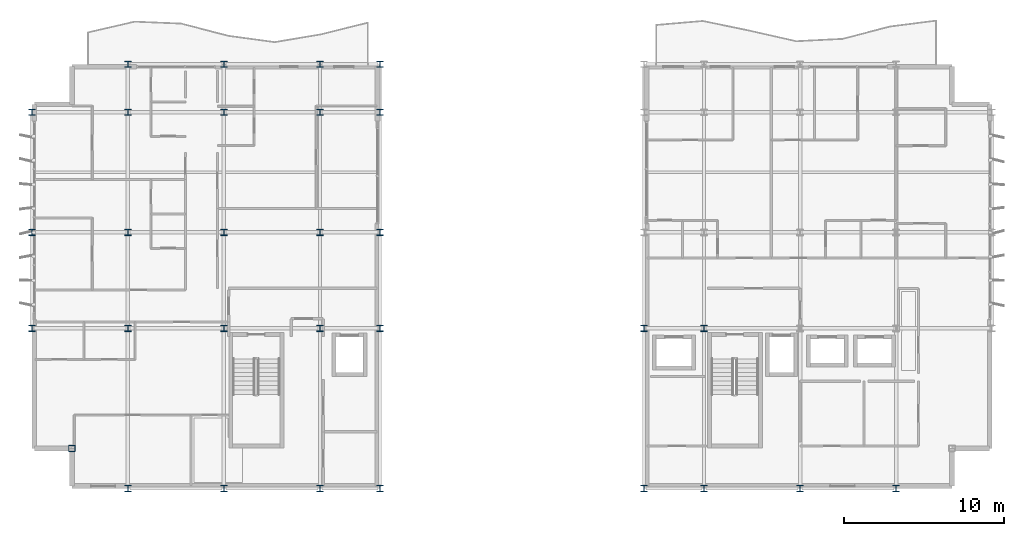
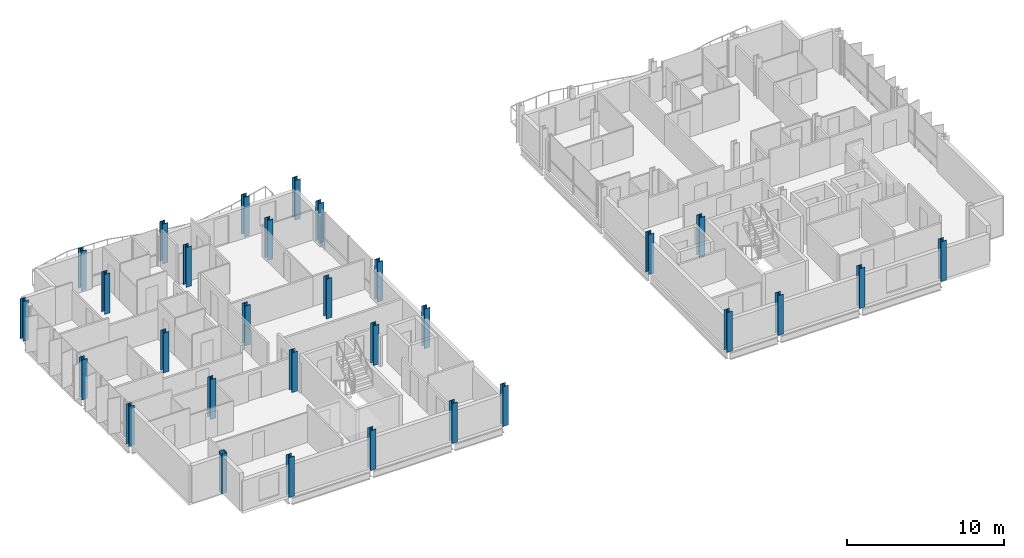
# One storey, part 1 of 29: 30 columns.
"""IFC4 building model written with IfcOpenShell, lengths in metres."""

from ifc_helpers import new_model, si_unit, direction, frame, origin, origin_2d, place, context, subcontext, project, spatial, hollow_rectangle, i_section, extrude, material, material_profile, profile_set, type_object, element, save


model = new_model("IFC4")

# Units and contexts
model_context = context("Model", 3, precision=1e-05, world=origin(), true_north=direction((0.0, 1.0)))
body_context = subcontext(model_context, "Body", "Model", "MODEL_VIEW")
ifc_project = project(units=[si_unit("LENGTHUNIT", "METRE"), si_unit("AREAUNIT", "SQUARE_METRE"), si_unit("VOLUMEUNIT", "CUBIC_METRE"), si_unit("PLANEANGLEUNIT", "RADIAN"), si_unit("MASSUNIT", "GRAM", prefix="KILO")], contexts=[model_context])

# Site, building, storey
site_placement = place(None, origin())
site = spatial("IfcSite", under=ifc_project, at=site_placement, CompositionType="ELEMENT")
building_placement = place(site_placement, origin())
building = spatial("IfcBuilding", under=site, at=building_placement, Name="Brevholm Reach", CompositionType="ELEMENT")
storey_placement = place(building_placement, frame((0.0, 0.0, 198.699951171875)))
storey = spatial("IfcBuildingStorey", under=building, at=storey_placement, Name="L60", CompositionType="ELEMENT", Elevation=198.699951171875)

# Columns
ifc_material_1 = material(Name="Structural Steel S460NH", Category="steel")
ifc_material_profile_1 = material_profile(ifc_material_1, hollow_rectangle(XDim=0.39990234375, YDim=0.39990234375, WallThickness=0.02001953125, InnerFilletRadius=0.011962890625, OuterFilletRadius=0.02392578125, at=origin_2d()), Name="SHS 400x400x20")
ifc_profile_set_1 = profile_set([ifc_material_profile_1], Name="Structural Steel S460NH")
column_type_1 = type_object("IfcColumnType", Name="COL-SHS2", PredefinedType="COLUMN", material=ifc_profile_set_1)
column_placement = place(storey_placement, frame((2.5, 2.5, 0.0), z_axis=(0.0, 0.0, 1.0), x_axis=(1.0, 0.0, 0.0)))
element("IfcColumn", 1, at=column_placement, inside=storey, type_object=column_type_1, Name="L60 Column 04", PredefinedType="COLUMN", context=body_context, shape_type="SweptSolid", body=[
    extrude(hollow_rectangle(XDim=0.39990234375, YDim=0.39990234375, WallThickness=0.02001953125, InnerFilletRadius=0.011962890625, OuterFilletRadius=0.02392578125, at=origin_2d()), origin(), (0.0, 0.0, 1.0), 3.10009765625),
])
ifc_material_2 = material(Name="Structural Steel S355J2", Category="steel")
ifc_material_profile_2 = material_profile(ifc_material_2, i_section(OverallWidth=0.39892578125, OverallDepth=0.3935546875, WebThickness=0.022705078125, FlangeThickness=0.03662109375, FilletRadius=0.01513671875, at=origin_2d()), Name="UKC 356x406x287")
ifc_profile_set_2 = profile_set([ifc_material_profile_2], Name="Structural Steel S355J2")
column_type_2 = type_object("IfcColumnType", Name="COL-UC5B", PredefinedType="COLUMN", material=ifc_profile_set_2)
for number, where, z_axis, x_axis, name in (
    (2, (0.0, 10.0, 0.0), (0.0, 0.0, 1.0), (1.0, 0.0, 0.0), "L60 Column 01"),
    (3, (0.0, 16.0, 0.0), (0.0, 0.0, 1.0), (1.0, 0.0, 0.0), "L60 Column 02"),
    (4, (0.0, 23.5, 0.0), (0.0, 0.0, 1.0), (1.0, 0.0, 0.0), "L60 Column 03"),
    (5, (6.0, 0.0, 0.0), (0.0, 0.0, 1.0), (1.0, 0.0, 0.0), "L60 Column 05"),
    (6, (6.0, 10.0, 0.0), (0.0, 0.0, 1.0), (1.0, 0.0, 0.0), "L60 Column 06"),
    (7, (6.0, 16.0, 0.0), (0.0, 0.0, 1.0), (1.0, 0.0, 0.0), "L60 Column 07"),
    (8, (6.0, 23.5, 0.0), (0.0, 0.0, 1.0), (1.0, 0.0, 0.0), "L60 Column 08"),
    (9, (6.0, 26.5, 0.0), (0.0, 0.0, 1.0), (1.0, 0.0, 0.0), "L60 Column 09"),
    (10, (12.0, 0.0, 0.0), (0.0, 0.0, 1.0), (1.0, 0.0, 0.0), "L60 Column 10"),
    (11, (12.0, 10.0, 0.0), (0.0, 0.0, 1.0), (1.0, 0.0, 0.0), "L60 Column 11"),
    (12, (12.0, 16.0, 0.0), (0.0, 0.0, 1.0), (1.0, 0.0, 0.0), "L60 Column 12"),
    (13, (12.0, 23.5, 0.0), (0.0, 0.0, 1.0), (1.0, 0.0, 0.0), "L60 Column 13"),
    (14, (12.0, 26.5, 0.0), (0.0, 0.0, 1.0), (1.0, 0.0, 0.0), "L60 Column 14"),
    (15, (18.0, 0.0, 0.0), (0.0, 0.0, 1.0), (1.0, 0.0, 0.0), "L60 Column 15"),
    (16, (18.0, 10.0, 0.0), (0.0, 0.0, 1.0), (1.0, 0.0, 0.0), "L60 Column 16"),
    (17, (18.0, 16.0, 0.0), (0.0, 0.0, 1.0), (1.0, 0.0, 0.0), "L60 Column 17"),
    (18, (18.0, 23.5, 0.0), (0.0, 0.0, 1.0), (1.0, 0.0, 0.0), "L60 Column 18"),
    (19, (18.0, 26.5, 0.0), (0.0, 0.0, 1.0), (1.0, 0.0, 0.0), "L60 Column 19"),
    (20, (21.75, 0.0, 0.0), (0.0, 0.0, 1.0), (1.0, 0.0, 0.0), "L60 Column 20"),
    (21, (21.75, 10.0, 0.0), (0.0, 0.0, 1.0), (1.0, 0.0, 0.0), "L60 Column 21"),
    (22, (21.75, 16.0, 0.0), (0.0, 0.0, 1.0), (1.0, 0.0, 0.0), "L60 Column 22"),
    (23, (21.75, 23.5, 0.0), (0.0, 0.0, 1.0), (1.0, 0.0, 0.0), "L60 Column 23"),
    (24, (21.75, 26.5, 0.0), (0.0, 0.0, 1.0), (1.0, 0.0, 0.0), "L60 Column 24"),
    (25, (38.25, 0.0, 0.0), (0.0, 0.0, 1.0), (1.0, 0.0, 0.0), "L60 Column 25"),
    (26, (38.25, 10.0, 0.0), (0.0, 0.0, 1.0), (1.0, 0.0, 0.0), "L60 Column 26"),
    (27, (42.0, 0.0, 0.0), (0.0, 0.0, 1.0), (1.0, 0.0, 0.0), "L60 Column 30"),
    (28, (42.0, 10.0, 0.0), (0.0, 0.0, 1.0), (1.0, 0.0, 0.0), "L60 Column 31"),
    (29, (48.0, 0.0, 0.0), (0.0, 0.0, 1.0), (1.0, 0.0, 0.0), "L60 Column 35"),
    (30, (54.0, 0.0, 0.0), (0.0, 0.0, 1.0), (1.0, 0.0, 0.0), "L60 Column 40"),
):
    element("IfcColumn", number, at=place(storey_placement, frame(where, z_axis=z_axis, x_axis=x_axis)), inside=storey, type_object=column_type_2, Name=name, PredefinedType="COLUMN", context=body_context, shape_type="SweptSolid", body=[
        extrude(i_section(OverallWidth=0.39892578125, OverallDepth=0.3935546875, WebThickness=0.022705078125, FlangeThickness=0.03662109375, FilletRadius=0.01513671875, at=origin_2d()), origin(), (0.0, 0.0, 1.0), 3.10009765625),
    ])

save(model, "model.ifc")
